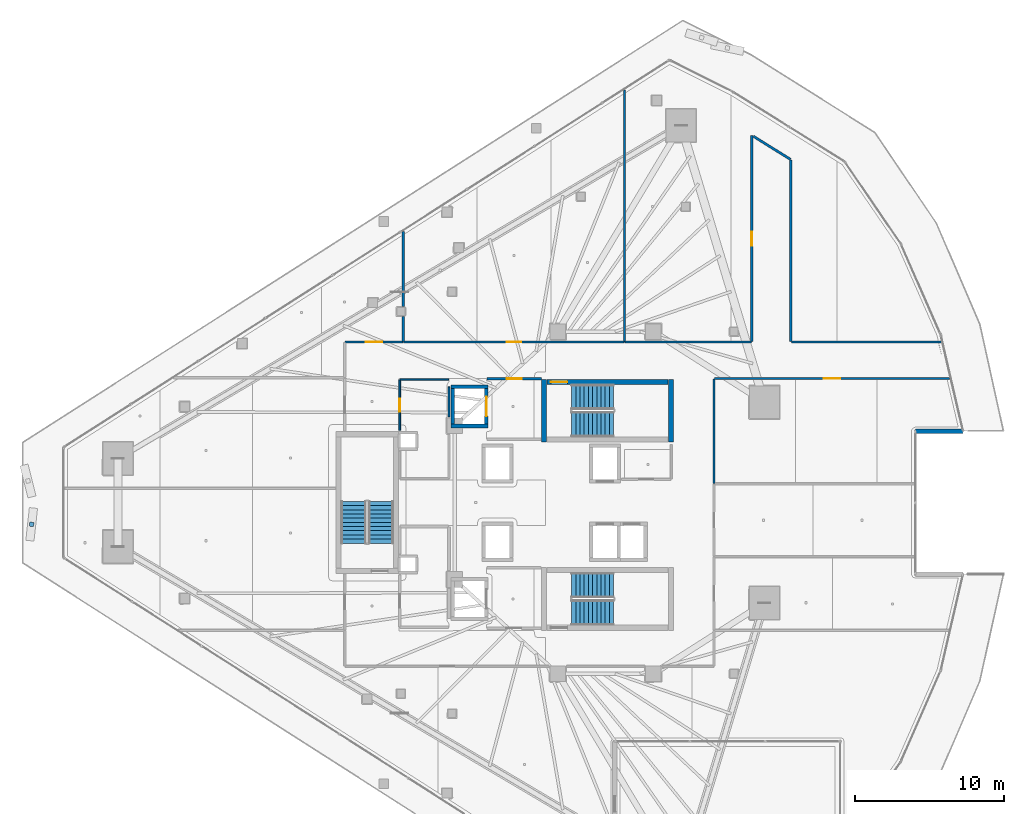
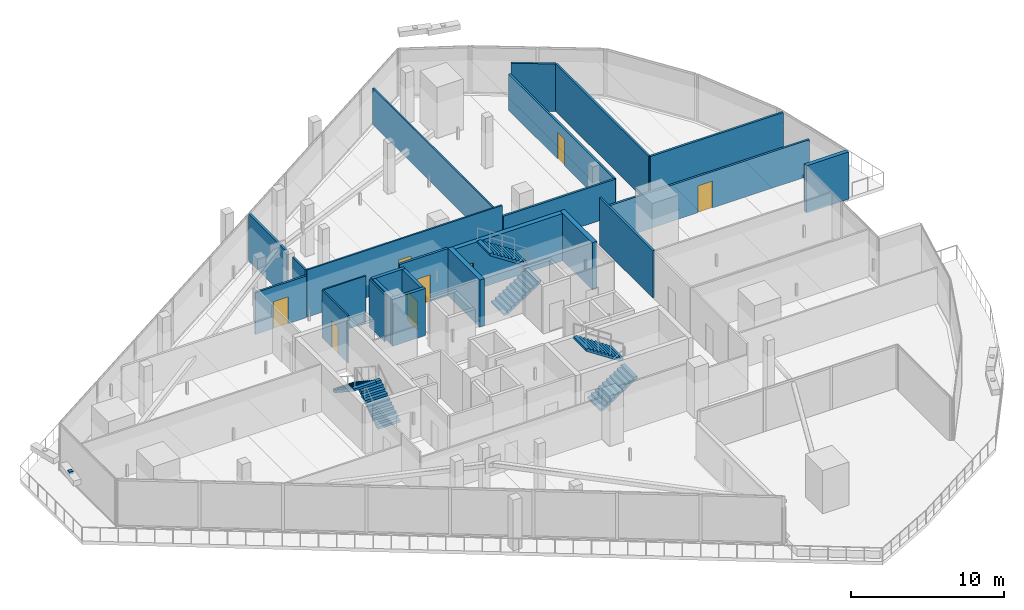
# One storey, part 32 of 43: 24 walls, 8 doors, 6 stair flights, 1 discrete accessory, 8 openings, 3 elements without a shape of their own.
"""IFC4 building model written with IfcOpenShell, lengths in metres."""

from ifc_helpers import new_model, si_unit, direction, frame, frame_2d, origin, origin_2d, place, context, subcontext, project, spatial, polyline, rectangle, outline, extrude, material, layer, layer_set, type_object, element, fill, aggregate, save


model = new_model("IFC4")

# Units and contexts
model_context = context("Model", 3, precision=1e-05, world=origin(), true_north=direction((0.0, 1.0)))
body_context = subcontext(model_context, "Body", "Model", "MODEL_VIEW")
ifc_project = project(units=[si_unit("LENGTHUNIT", "METRE"), si_unit("AREAUNIT", "SQUARE_METRE"), si_unit("VOLUMEUNIT", "CUBIC_METRE"), si_unit("PLANEANGLEUNIT", "RADIAN"), si_unit("MASSUNIT", "GRAM", prefix="KILO")], contexts=[model_context])

# Site, building, storey
site_placement = place(None, origin())
site = spatial("IfcSite", under=ifc_project, at=site_placement, CompositionType="ELEMENT")
building_placement = place(site_placement, origin())
building = spatial("IfcBuilding", under=site, at=building_placement, Name="Qorvath Tower", CompositionType="ELEMENT")
storey_placement = place(building_placement, frame((0.0, 0.0, 150.300048828125)))
storey = spatial("IfcBuildingStorey", under=building, at=storey_placement, Name="L34", CompositionType="ELEMENT", Elevation=150.300048828125)

# Wall, opening, door
ifc_material_1 = material(Name="Gypsum shaftliner on steel studs", Category="steel")
ifc_layer_1 = layer(ifc_material_1, 0.179931640625)
ifc_layer_set_1 = layer_set([ifc_layer_1], Name="FW-LOBBY")
wall_type_1 = type_object("IfcWallType", Name="FW-LOBBY", PredefinedType="PARTITIONING", material=ifc_layer_set_1)
wall_1_placement = place(storey_placement, frame((-24.68408203125, 8.300048828125, 0.0), z_axis=(0.0, 0.0, 1.0), x_axis=(-1.0, 0.0, 0.0)))
wall_1 = element("IfcWall", 1, at=wall_1_placement, inside=storey, type_object=wall_type_1, Name="Interior Partition IW-T1-L34-002", PredefinedType="PARTITIONING", context=body_context, shape_type="SweptSolid", body=[
    extrude(rectangle(XDim=3.6708984375, YDim=0.179931640625, at=frame_2d((1.83544921875, 0.0))), origin(), (0.0, 0.0, 1.0), 3.780029296875),
])
opening_1_placement = place(wall_1_placement, frame((1.33544921875, 0.0, 0.0)))
opening_1 = element("IfcOpeningElement", 2, at=opening_1_placement, cuts=wall_1, Name="Opening D-T1-L34-13", PredefinedType="OPENING", context=body_context, shape_type="SweptSolid", body=[
    extrude(rectangle(XDim=1.0, YDim=2.14990234375, at=frame_2d((0.5, 1.074951171875))), frame((0.0, 0.10009765625, 0.0), z_axis=(0.0, -1.0, 0.0), x_axis=(1.0, 0.0, 0.0)), (0.0, 0.0, 1.0), 0.199951171875),
])
ifc_material_2 = material(Name="Painted galvanised hollow metal", Category="steel")
door_type_1 = type_object("IfcDoorType", Name="FD-60", OperationType="NOTDEFINED", PredefinedType="DOOR", material=ifc_material_2)
door_1_placement = place(opening_1_placement, origin())
door_1 = element("IfcDoor", 3, at=door_1_placement, inside=storey, type_object=door_type_1, Name="Lobby Fire Service Elevator North Door D-T1-L34-13", OperationType="SINGLE_SWING_RIGHT", OverallHeight=2.14990234375, OverallWidth=1.0, PredefinedType="DOOR", context=body_context, shape_type="SweptSolid", body=[
    extrude(rectangle(XDim=1.0, YDim=2.14990234375, at=frame_2d((0.5, 1.074951171875))), frame((0.0, 0.02490234375, 0.0), z_axis=(0.0, -1.0, 0.0), x_axis=(1.0, 0.0, 0.0)), (0.0, 0.0, 1.0), 0.050048828125),
])
fill(opening_1, door_1)

ifc_material_3 = material(Name="Double acoustic gypsum board on steel studs", Category="steel")
ifc_layer_2 = layer(ifc_material_3, 0.159912109375)
ifc_layer_set_2 = layer_set([ifc_layer_2], Name="IW-ACOUSTIC-160")
wall_type_2 = type_object("IfcWallType", Name="IW-ACOUSTIC-160", PredefinedType="PARTITIONING", material=ifc_layer_set_2)
wall_2_placement = place(storey_placement, frame((-37.8330078125, 10.758056640625, 0.0), z_axis=(0.0, 0.0, 1.0), x_axis=(1.0, 0.0, 0.0)))
wall_2 = element("IfcWall", 4, at=wall_2_placement, inside=storey, type_object=wall_type_2, Name="Interior Partition IW-T1-L34-021", PredefinedType="PARTITIONING", context=body_context, shape_type="SweptSolid", body=[
    extrude(rectangle(XDim=3.8583984375, YDim=0.159912109375, at=frame_2d((1.92919921875, 0.0))), origin(), (0.0, 0.0, 1.0), 3.34423828125),
])
opening_2_placement = place(wall_2_placement, frame((1.379150390625, 0.0, 0.0)))
opening_2 = element("IfcOpeningElement", 5, at=opening_2_placement, cuts=wall_2, Name="Opening D-T1-L34-04", PredefinedType="OPENING", context=body_context, shape_type="SweptSolid", body=[
    extrude(rectangle(XDim=1.10009765625, YDim=2.14990234375, at=frame_2d((0.550048828125, 1.074951171875))), frame((0.0, 0.08984375, 0.0), z_axis=(0.0, -1.0, 0.0), x_axis=(1.0, 0.0, 0.0)), (0.0, 0.0, 1.0), 0.179931640625),
])
ifc_material_4 = material(Name="Anodised aluminium acoustic framed glass", Category="aluminium")
door_type_2 = type_object("IfcDoorType", Name="D-03", OperationType="NOTDEFINED", PredefinedType="DOOR", material=ifc_material_4)
door_2_placement = place(opening_2_placement, origin())
door_2 = element("IfcDoor", 6, at=door_2_placement, inside=storey, type_object=door_type_2, Name="L34-01 Client Services Office Door D-T1-L34-04", OperationType="SINGLE_SWING_LEFT", OverallHeight=2.14990234375, OverallWidth=1.10009765625, PredefinedType="DOOR", context=body_context, shape_type="SweptSolid", body=[
    extrude(rectangle(XDim=1.10009765625, YDim=2.14990234375, at=frame_2d((0.550048828125, 1.074951171875))), frame((0.0, 0.02490234375, 0.0), z_axis=(0.0, -1.0, 0.0), x_axis=(1.0, 0.0, 0.0)), (0.0, 0.0, 1.0), 0.050048828125),
])
fill(opening_2, door_2)

# Walls
wall_3_placement = place(storey_placement, frame((-33.94970703125, 10.783203125, 0.0), z_axis=(0.0, 0.0, 1.0), x_axis=(0.0, 1.0, 0.0)))
element("IfcWall", 7, at=wall_3_placement, inside=storey, type_object=wall_type_2, Name="Interior Partition IW-T1-L34-022", PredefinedType="PARTITIONING", context=body_context, shape_type="SweptSolid", body=[
    extrude(rectangle(XDim=1.669189453125, YDim=0.159912109375, at=frame_2d((0.83447265625, 0.0))), origin(), (0.0, 0.0, 1.0), 3.780029296875),
])
wall_4_placement = place(storey_placement, frame((-33.94970703125, 13.132568359375, 0.0), z_axis=(0.0, 0.0, 1.0), x_axis=(0.0, 1.0, 0.0)))
element("IfcWall", 8, at=wall_4_placement, inside=storey, type_object=wall_type_2, Name="Interior Partition IW-T1-L34-023", PredefinedType="PARTITIONING", context=body_context, shape_type="SweptSolid", body=[
    extrude(rectangle(XDim=5.020751953125, YDim=0.159912109375, at=frame_2d((2.51025390625, 0.0))), origin(), (0.0, 0.0, 1.0), 3.780029296875),
])
wall_5_placement = place(storey_placement, frame((-19.099609375, 10.758056640625, 0.0), z_axis=(0.0, 0.0, 1.0), x_axis=(1.0, 0.0, 0.0)))
element("IfcWall", 9, at=wall_5_placement, inside=storey, type_object=wall_type_2, Name="Interior Partition IW-T1-L34-026", PredefinedType="PARTITIONING", context=body_context, shape_type="SweptSolid", body=[
    extrude(rectangle(XDim=8.466796875, YDim=0.159912109375, at=frame_2d((4.2333984375, 0.0))), origin(), (0.0, 0.0, 1.0), 2.89501953125),
])

# Wall, opening, door
wall_6_placement = place(storey_placement, frame((-10.60791015625, 10.783203125, 0.0), z_axis=(0.0, 0.0, 1.0), x_axis=(0.0, 1.0, 0.0)))
wall_6 = element("IfcWall", 10, at=wall_6_placement, inside=storey, type_object=wall_type_2, Name="Interior Partition IW-T1-L34-027", PredefinedType="PARTITIONING", context=body_context, shape_type="SweptSolid", body=[
    extrude(rectangle(XDim=13.78759765625, YDim=0.159912109375, at=frame_2d((6.893798828125, 0.0))), origin(), (0.0, 0.0, 1.0), 2.89990234375),
])
opening_3_placement = place(wall_6_placement, frame((6.418701171875, 0.0, 0.0)))
opening_3 = element("IfcOpeningElement", 11, at=opening_3_placement, cuts=wall_6, Name="Opening D-T1-L34-06", PredefinedType="OPENING", context=body_context, shape_type="SweptSolid", body=[
    extrude(rectangle(XDim=0.949951171875, YDim=2.14990234375, at=frame_2d((0.47509765625, 1.074951171875))), frame((0.0, 0.08984375, 0.0), z_axis=(0.0, -1.0, 0.0), x_axis=(1.0, 0.0, 0.0)), (0.0, 0.0, 1.0), 0.179931640625),
])
ifc_material_5 = material(Name="Solid-core American white oak veneer", Category="wood")
door_type_3 = type_object("IfcDoorType", Name="D-01", OperationType="NOTDEFINED", PredefinedType="DOOR", material=ifc_material_5)
door_3_placement = place(opening_3_placement, origin())
door_3 = element("IfcDoor", 12, at=door_3_placement, inside=storey, type_object=door_type_3, Name="L34-03 Staff Wellness Studio Door D-T1-L34-06", OperationType="SINGLE_SWING_LEFT", OverallHeight=2.14990234375, OverallWidth=0.949951171875, PredefinedType="DOOR", context=body_context, shape_type="SweptSolid", body=[
    extrude(rectangle(XDim=0.949951171875, YDim=2.14990234375, at=frame_2d((0.47509765625, 1.074951171875))), frame((0.0, 0.02490234375, 0.0), z_axis=(0.0, -1.0, 0.0), x_axis=(1.0, 0.0, 0.0)), (0.0, 0.0, 1.0), 0.050048828125),
])
fill(opening_3, door_3)

# Walls
wall_7_placement = place(storey_placement, frame((-8.01318359375, 22.9765625, 0.0), z_axis=(0.0, 0.0, 1.0), x_axis=(-0.848358146003, 0.529422757454, 0.0)))
element("IfcWall", 13, at=wall_7_placement, inside=storey, type_object=wall_type_2, Name="Interior Partition IW-T1-L34-028", PredefinedType="PARTITIONING", context=body_context, shape_type="SweptSolid", body=[
    extrude(rectangle(XDim=2.933349609375, YDim=0.159912109375, at=frame_2d((1.466796875, 0.0))), origin(), (0.0, 0.0, 1.0), 3.780029296875),
])
wall_8_placement = place(storey_placement, frame((-7.991943359375, 10.783203125, 0.0), z_axis=(0.0, 0.0, 1.0), x_axis=(0.0, 1.0, 0.0)))
element("IfcWall", 14, at=wall_8_placement, inside=storey, type_object=wall_type_2, Name="Interior Partition IW-T1-L34-029", PredefinedType="PARTITIONING", context=body_context, shape_type="SweptSolid", body=[
    extrude(rectangle(XDim=12.1552734375, YDim=0.159912109375, at=frame_2d((6.07763671875, 0.0))), origin(), (0.0, 0.0, 1.0), 3.780029296875),
])
wall_9_placement = place(storey_placement, frame((-7.966796875, 10.758056640625, 0.0), z_axis=(0.0, 0.0, 1.0), x_axis=(1.0, 0.0, 0.0)))
element("IfcWall", 15, at=wall_9_placement, inside=storey, type_object=wall_type_2, Name="Interior Partition IW-T1-L34-030", PredefinedType="PARTITIONING", context=body_context, shape_type="SweptSolid", body=[
    extrude(rectangle(XDim=10.042236328125, YDim=0.159912109375, at=frame_2d((5.02099609375, 0.0))), origin(), (0.0, 0.0, 1.0), 3.780029296875),
])

# Wall, opening, door
wall_10_placement = place(storey_placement, frame((2.64208984375, 8.31201171875, 0.0), z_axis=(0.0, 0.0, 1.0), x_axis=(-1.0, 0.0, 0.0)))
wall_10 = element("IfcWall", 16, at=wall_10_placement, inside=storey, type_object=wall_type_2, Name="Interior Partition IW-T1-L34-042", PredefinedType="PARTITIONING", context=body_context, shape_type="SweptSolid", body=[
    extrude(rectangle(XDim=15.75927734375, YDim=0.159912109375, at=frame_2d((7.879638671875, 0.0))), origin(), (0.0, 0.0, 1.0), 2.89501953125),
])
opening_4_placement = place(wall_10_placement, frame((7.32958984375, 0.0, 0.0)))
opening_4 = element("IfcOpeningElement", 17, at=opening_4_placement, cuts=wall_10, Name="Opening D-T1-L34-10", PredefinedType="OPENING", context=body_context, shape_type="SweptSolid", body=[
    extrude(rectangle(XDim=1.10009765625, YDim=2.14990234375, at=frame_2d((0.550048828125, 1.074951171875))), frame((0.0, 0.08984375, 0.0), z_axis=(0.0, -1.0, 0.0), x_axis=(1.0, 0.0, 0.0)), (0.0, 0.0, 1.0), 0.179931640625),
])
door_4_placement = place(opening_4_placement, origin())
door_4 = element("IfcDoor", 18, at=door_4_placement, inside=storey, type_object=door_type_2, Name="L34-07 Digital Visualization Suite Door D-T1-L34-10", OperationType="SINGLE_SWING_LEFT", OverallHeight=2.14990234375, OverallWidth=1.10009765625, PredefinedType="DOOR", context=body_context, shape_type="SweptSolid", body=[
    extrude(rectangle(XDim=1.10009765625, YDim=2.14990234375, at=frame_2d((0.550048828125, 1.074951171875))), frame((0.0, 0.02490234375, 0.0), z_axis=(0.0, -1.0, 0.0), x_axis=(1.0, 0.0, 0.0)), (0.0, 0.0, 1.0), 0.050048828125),
])
fill(opening_4, door_4)

# Wall
wall_11_placement = place(storey_placement, frame((-13.14208984375, 8.287109375, 0.0), z_axis=(0.0, 0.0, 1.0), x_axis=(0.0, -1.0, 0.0)))
element("IfcWall", 19, at=wall_11_placement, inside=storey, type_object=wall_type_2, Name="Interior Partition IW-T1-L34-043", PredefinedType="PARTITIONING", context=body_context, shape_type="SweptSolid", body=[
    extrude(rectangle(XDim=7.001708984375, YDim=0.159912109375, at=frame_2d((3.5009765625, 0.0))), origin(), (0.0, 0.0, 1.0), 3.780029296875),
])

# Wall, opening, door
ifc_material_6 = material(Name="Gypsum board on metal studs with mineral wool", Category="gypsum")
ifc_layer_3 = layer(ifc_material_6, 0.125)
ifc_layer_set_3 = layer_set([ifc_layer_3], Name="IW-PART-125")
wall_type_3 = type_object("IfcWallType", Name="IW-PART-125", PredefinedType="PARTITIONING", material=ifc_layer_set_3)
wall_12_placement = place(storey_placement, frame((-33.916748046875, 10.758056640625, 0.0), z_axis=(0.0, 0.0, 1.0), x_axis=(1.0, 0.0, 0.0)))
wall_12 = element("IfcWall", 20, at=wall_12_placement, inside=storey, type_object=wall_type_3, Name="Interior Partition IW-T1-L34-024", PredefinedType="PARTITIONING", context=body_context, shape_type="SweptSolid", body=[
    extrude(rectangle(XDim=14.759033203125, YDim=0.125, at=frame_2d((7.37939453125, 0.0))), origin(), (0.0, 0.0, 1.0), 3.780029296875),
])
opening_5_placement = place(wall_12_placement, frame((6.904541015625, 0.0, 0.0)))
opening_5 = element("IfcOpeningElement", 21, at=opening_5_placement, cuts=wall_12, Name="Opening D-T1-L34-05", PredefinedType="OPENING", context=body_context, shape_type="SweptSolid", body=[
    extrude(rectangle(XDim=0.949951171875, YDim=2.14990234375, at=frame_2d((0.47509765625, 1.074951171875))), frame((0.0, 0.072509765625, 0.0), z_axis=(0.0, -1.0, 0.0), x_axis=(1.0, 0.0, 0.0)), (0.0, 0.0, 1.0), 0.14501953125),
])
door_5_placement = place(opening_5_placement, origin())
door_5 = element("IfcDoor", 22, at=door_5_placement, inside=storey, type_object=door_type_3, Name="L34-02 Project Collaboration Workspace Door D-T1-L34-05", OperationType="SINGLE_SWING_RIGHT", OverallHeight=2.14990234375, OverallWidth=0.949951171875, PredefinedType="DOOR", context=body_context, shape_type="SweptSolid", body=[
    extrude(rectangle(XDim=0.949951171875, YDim=2.14990234375, at=frame_2d((0.47509765625, 1.074951171875))), frame((0.0, 0.02490234375, 0.0), z_axis=(0.0, -1.0, 0.0), x_axis=(1.0, 0.0, 0.0)), (0.0, 0.0, 1.0), 0.050048828125),
])
fill(opening_5, door_5)

# Walls
wall_13_placement = place(storey_placement, frame((-19.132568359375, 10.783203125, 0.0), z_axis=(0.0, 0.0, 1.0), x_axis=(0.0, 1.0, 0.0)))
element("IfcWall", 23, at=wall_13_placement, inside=storey, type_object=wall_type_3, Name="Interior Partition IW-T1-L34-025", PredefinedType="PARTITIONING", context=body_context, shape_type="SweptSolid", body=[
    extrude(rectangle(XDim=16.840087890625, YDim=0.125, at=frame_2d((8.419921875, 0.0))), origin(), (0.0, 0.0, 1.0), 2.89501953125),
])
ifc_material_7 = material(Name="Moisture-resistant cement board on metal studs", Category="gypsum")
ifc_layer_4 = layer(ifc_material_7, 0.110107421875)
ifc_layer_set_4 = layer_set([ifc_layer_4], Name="IW-WC-110")
wall_type_4 = type_object("IfcWallType", Name="IW-WC-110", PredefinedType="PARTITIONING", material=ifc_layer_set_4)
wall_14_placement = place(storey_placement, frame((-30.8798828125, 5.739990234375, 0.0), z_axis=(0.0, 0.0, 1.0), x_axis=(0.0, 1.0, 0.0)))
element("IfcWall", 24, at=wall_14_placement, inside=storey, type_object=wall_type_4, Name="Interior Partition IW-T1-L34-007", PredefinedType="PARTITIONING", context=body_context, shape_type="SweptSolid", body=[
    extrude(rectangle(XDim=2.0029296875, YDim=0.110107421875, at=frame_2d((1.00146484375, 0.0))), origin(), (0.0, 0.0, 1.0), 3.780029296875),
])
wall_15_placement = place(storey_placement, frame((-30.90478515625, 8.25, 0.0), z_axis=(0.0, 0.0, 1.0), x_axis=(-1.0, 0.0, 0.0)))
element("IfcWall", 25, at=wall_15_placement, inside=storey, type_object=wall_type_4, Name="Interior Partition IW-T1-L34-008", PredefinedType="PARTITIONING", context=body_context, shape_type="SweptSolid", body=[
    extrude(rectangle(XDim=3.25, YDim=0.110107421875, at=frame_2d((1.625, 0.0))), origin(), (0.0, 0.0, 1.0), 3.780029296875),
])

# Wall, opening, door
wall_16_placement = place(storey_placement, frame((-34.179931640625, 8.22509765625, 0.0), z_axis=(0.0, 0.0, 1.0), x_axis=(0.0, -1.0, 0.0)))
wall_16 = element("IfcWall", 26, at=wall_16_placement, inside=storey, type_object=wall_type_4, Name="Interior Partition IW-T1-L34-009", PredefinedType="PARTITIONING", context=body_context, shape_type="SweptSolid", body=[
    extrude(rectangle(XDim=3.385009765625, YDim=0.110107421875, at=frame_2d((1.6923828125, 0.0))), origin(), (0.0, 0.0, 1.0), 3.780029296875),
])
opening_6_placement = place(wall_16_placement, frame((1.25244140625, 0.0, 0.0)))
opening_6 = element("IfcOpeningElement", 27, at=opening_6_placement, cuts=wall_16, Name="Opening D-T1-L34-01", PredefinedType="OPENING", context=body_context, shape_type="SweptSolid", body=[
    extrude(rectangle(XDim=0.8798828125, YDim=2.10009765625, at=frame_2d((0.43994140625, 1.050048828125))), frame((0.0, 0.06494140625, 0.0), z_axis=(0.0, -1.0, 0.0), x_axis=(1.0, 0.0, 0.0)), (0.0, 0.0, 1.0), 0.130126953125),
])
ifc_material_8 = material(Name="Solid-core oak with acoustic drop seal", Category="wood")
door_type_4 = type_object("IfcDoorType", Name="D-02", OperationType="NOTDEFINED", PredefinedType="DOOR", material=ifc_material_8)
door_6_placement = place(opening_6_placement, origin())
door_6 = element("IfcDoor", 28, at=door_6_placement, inside=storey, type_object=door_type_4, Name="Accessible WC North L34 Door D-T1-L34-01", OperationType="SINGLE_SWING_RIGHT", OverallHeight=2.10009765625, OverallWidth=0.8798828125, PredefinedType="DOOR", context=body_context, shape_type="SweptSolid", body=[
    extrude(rectangle(XDim=0.8798828125, YDim=2.10009765625, at=frame_2d((0.43994140625, 1.050048828125))), frame((0.0, 0.02490234375, 0.0), z_axis=(0.0, -1.0, 0.0), x_axis=(1.0, 0.0, 0.0)), (0.0, 0.0, 1.0), 0.050048828125),
])
fill(opening_6, door_6)

# Walls
ifc_material_9 = material(Name="Concrete C60/75", Category="concrete")
ifc_layer_5 = layer(ifc_material_9, 0.260009765625)
ifc_layer_set_5 = layer_set([ifc_layer_5], Name="SW-SHAFT")
wall_type_5 = type_object("IfcWallType", Name="SW-SHAFT", PredefinedType="SHEAR", material=ifc_layer_set_5)
for number, where, z_axis, x_axis, name in (
    (29, (-28.260009765625, 5.1298828125, 0.0), (0.0, 0.0, 1.0), (-1.0, 0.0, 0.0), "Hoistway Wall FSAE-1 L34 S"),
    (30, (-30.739990234375, 7.77001953125, 0.0), (0.0, 0.0, 1.0), (1.0, 0.0, 0.0), "Hoistway Wall FSAE-1 L34 N"),
):
    element("IfcWall", number, at=place(storey_placement, frame(where, z_axis=z_axis, x_axis=x_axis)), inside=storey, type_object=wall_type_5, Name=name, PredefinedType="SHEAR", context=body_context, shape_type="SweptSolid", body=[
        extrude(rectangle(XDim=2.47998046875, YDim=0.239990234375, at=frame_2d((1.239990234375, 0.0))), origin(), (0.0, 0.0, 1.0), 3.780029296875),
    ])
wall_17_placement = place(storey_placement, frame((-30.6201171875, 5.261962890625, 0.0), z_axis=(0.0, 0.0, 1.0), x_axis=(0.0, 1.0, 0.0)))
element("IfcWall", 31, at=wall_17_placement, inside=storey, type_object=wall_type_5, Name="Hoistway Wall FSAE-1 L34 W", PredefinedType="SHEAR", context=body_context, shape_type="SweptSolid", body=[
    extrude(rectangle(XDim=2.3759765625, YDim=0.239990234375, at=frame_2d((1.18798828125, 0.0))), origin(), (0.0, 0.0, 1.0), 3.780029296875),
])

# Wall, opening, door
wall_18_placement = place(storey_placement, frame((-28.3798828125, 7.637939453125, 0.0), z_axis=(0.0, 0.0, 1.0), x_axis=(0.0, -1.0, 0.0)))
wall_18 = element("IfcWall", 32, at=wall_18_placement, inside=storey, type_object=wall_type_5, Name="Hoistway Wall FSAE-1 L34 E", PredefinedType="SHEAR", context=body_context, shape_type="SweptSolid", body=[
    extrude(rectangle(XDim=2.3759765625, YDim=0.239990234375, at=frame_2d((1.18798828125, 0.0))), origin(), (0.0, 0.0, 1.0), 3.780029296875),
])
opening_7_placement = place(wall_18_placement, frame((0.537841796875, 0.0, 0.0)))
opening_7 = element("IfcOpeningElement", 33, at=opening_7_placement, cuts=wall_18, Name="Opening LD-FSAE-1-L34", PredefinedType="OPENING", context=body_context, shape_type="SweptSolid", body=[
    extrude(rectangle(XDim=1.300048828125, YDim=2.300048828125, at=frame_2d((0.64990234375, 1.14990234375))), frame((0.0, 0.1298828125, 0.0), z_axis=(0.0, -1.0, 0.0), x_axis=(1.0, 0.0, 0.0)), (0.0, 0.0, 1.0), 0.260009765625),
])
ifc_material_10 = material(Name="Brushed stainless steel AISI 316", Category="steel")
door_type_5 = type_object("IfcDoorType", Name="LD-02", OperationType="NOTDEFINED", PredefinedType="DOOR", material=ifc_material_10)
door_7_placement = place(opening_7_placement, origin())
door_7 = element("IfcDoor", 34, at=door_7_placement, inside=storey, type_object=door_type_5, Name="Elevator Landing Sliding Door LD-FSAE-1-L34", OperationType="DOUBLE_DOOR_SLIDING", OverallHeight=2.300048828125, OverallWidth=1.300048828125, PredefinedType="DOOR", context=body_context, shape_type="SweptSolid", body=[
    extrude(rectangle(XDim=1.300048828125, YDim=2.300048828125, at=frame_2d((0.64990234375, 1.14990234375))), frame((0.0, 0.02490234375, 0.0), z_axis=(0.0, -1.0, 0.0), x_axis=(1.0, 0.0, 0.0)), (0.0, 0.0, 1.0), 0.050048828125),
])
fill(opening_7, door_7)

# Walls
ifc_material_11 = material(Name="Concrete C60/75", Category="concrete")
ifc_layer_6 = layer(ifc_material_11, 0.35009765625)
ifc_layer_set_6 = layer_set([ifc_layer_6], Name="SW-STAIR")
wall_type_6 = type_object("IfcWallType", Name="SW-STAIR", PredefinedType="SHEAR", material=ifc_layer_set_6)
for number, where, z_axis, x_axis, name in (
    (35, (-24.52490234375, 8.260009765625, 0.0), (0.0, 0.0, 1.0), (0.0, -1.0, 0.0), "Stair TS1 Shear Wall L34 NEAR"),
    (36, (-16.02490234375, 4.050048828125, 0.0), (0.0, 0.0, 1.0), (0.0, 1.0, 0.0), "Stair TS1 Shear Wall L34 FAR"),
):
    element("IfcWall", number, at=place(storey_placement, frame(where, z_axis=z_axis, x_axis=x_axis)), inside=storey, type_object=wall_type_6, Name=name, PredefinedType="SHEAR", context=body_context, shape_type="SweptSolid", body=[
        extrude(rectangle(XDim=4.2099609375, YDim=0.35009765625, at=frame_2d((2.10498046875, 0.0))), origin(), (0.0, 0.0, 1.0), 3.780029296875),
    ])

# Wall, opening, door
wall_19_placement = place(storey_placement, frame((-16.215087890625, 8.0849609375, 0.0), z_axis=(0.0, 0.0, 1.0), x_axis=(-1.0, 0.0, 0.0)))
wall_19 = element("IfcWall", 37, at=wall_19_placement, inside=storey, type_object=wall_type_6, Name="Stair TS1 Shear Wall L34 RIGHT", PredefinedType="SHEAR", context=body_context, shape_type="SweptSolid", body=[
    extrude(rectangle(XDim=8.119873046875, YDim=0.35009765625, at=frame_2d((4.06005859375, 0.0))), origin(), (0.0, 0.0, 1.0), 3.780029296875),
])
opening_8_placement = place(wall_19_placement, frame((6.739990234375, 0.0, 0.0)))
opening_8 = element("IfcOpeningElement", 38, at=opening_8_placement, cuts=wall_19, Name="Opening D-TS1-L34", PredefinedType="OPENING", context=body_context, shape_type="SweptSolid", body=[
    extrude(rectangle(XDim=1.10009765625, YDim=2.199951171875, at=frame_2d((0.550048828125, 1.10009765625))), frame((0.0, 0.18505859375, 0.0), z_axis=(0.0, -1.0, 0.0), x_axis=(1.0, 0.0, 0.0)), (0.0, 0.0, 1.0), 0.3701171875),
])
ifc_material_12 = material(Name="Painted galvanised hollow metal", Category="steel")
door_type_6 = type_object("IfcDoorType", Name="FD-90", OperationType="NOTDEFINED", PredefinedType="DOOR", material=ifc_material_12)
door_8_placement = place(opening_8_placement, origin())
door_8 = element("IfcDoor", 39, at=door_8_placement, inside=storey, type_object=door_type_6, Name="Stair TS1 Fire Door L34", OperationType="SINGLE_SWING_LEFT", OverallHeight=2.199951171875, OverallWidth=1.10009765625, PredefinedType="DOOR", context=body_context, shape_type="SweptSolid", body=[
    extrude(rectangle(XDim=1.10009765625, YDim=2.199951171875, at=frame_2d((0.550048828125, 1.10009765625))), frame((0.0, 0.02490234375, 0.0), z_axis=(0.0, -1.0, 0.0), x_axis=(1.0, 0.0, 0.0)), (0.0, 0.0, 1.0), 0.050048828125),
])
fill(opening_8, door_8)

# Wall
ifc_material_13 = material(Name="Precast concrete C45/55", Category="concrete")
ifc_layer_7 = layer(ifc_material_13, 0.300048828125)
ifc_layer_set_7 = layer_set([ifc_layer_7], Name="WL-EW-LOG-300")
wall_type_7 = type_object("IfcWallType", Name="WL-EW-LOG-300", PredefinedType="SOLIDWALL", material=ifc_layer_set_7)
wall_20_placement = place(storey_placement, frame((0.33984375, 4.795166015625, 0.0), z_axis=(0.0, 0.0, 1.0), x_axis=(1.0, 0.0, 0.0)))
element("IfcWall", 40, at=wall_20_placement, inside=storey, type_object=wall_type_7, Name="Tower Precast Loggia Wall L34-10.1", PredefinedType="SOLIDWALL", context=body_context, shape_type="SweptSolid", body=[
    extrude(rectangle(XDim=3.19677734375, YDim=0.300048828125, at=frame_2d((1.598388671875, 0.0))), origin(), (0.0, 0.0, 1.0), 3.780029296875),
])

# Stair, stair flights
ifc_material_14 = material(Name="Concrete C50/60", Category="concrete")
stair_type = type_object("IfcStairType", Name="ST-H405", PredefinedType="HALF_TURN_STAIR", material=ifc_material_14)
stair_1_placement = place(storey_placement, origin())
stair_1 = element("IfcStair", 41, at=stair_1_placement, inside=storey, type_object=stair_type, Name="L34 Tower Exit Stair 1", PredefinedType="HALF_TURN_STAIR")
ifc_material_15 = material(Name="Concrete C50/60", Category="concrete")
ifc_layer_8 = layer(ifc_material_15, 0.14990234375)
ifc_layer_set_8 = layer_set([ifc_layer_8], Name="SF-H405")
stair_flight_type = type_object("IfcStairFlightType", Name="SF-H405", PredefinedType="STRAIGHT", material=ifc_layer_set_8)
stair_flight_1_placement = place(storey_placement, frame((-22.669921875, 5.239990234375, 0.0), z_axis=(0.0, 0.0, 1.0), x_axis=(1.0, 0.0, 0.0)))
stair_flight_1 = element("IfcStairFlight", 42, at=stair_flight_1_placement, type_object=stair_flight_type, Name="TS1 flight 1", NumberOfRisers=11, NumberOfTreads=10, PredefinedType="STRAIGHT", RiserHeight=0.184090909, TreadLength=0.28, context=body_context, shape_type="SweptSolid", body=[
    extrude(outline(polyline([(0.0, 0.0), (0.0, 0.18408203125), (0.280029296875, 0.18408203125), (0.280029296875, 0.3681640625), (0.56005859375, 0.3681640625), (0.56005859375, 0.55224609375), (0.840087890625, 0.55224609375), (0.840087890625, 0.736328125), (1.1201171875, 0.736328125), (1.1201171875, 0.92041015625), (1.39990234375, 0.92041015625), (1.39990234375, 1.1044921875), (1.679931640625, 1.1044921875), (1.679931640625, 1.28857421875), (1.9599609375, 1.28857421875), (1.9599609375, 1.47265625), (2.239990234375, 1.47265625), (2.239990234375, 1.65673828125), (2.52001953125, 1.65673828125), (2.52001953125, 1.8408203125), (2.800048828125, 1.8408203125), (2.800048828125, 2.02490234375), (2.800048828125, 1.66162109375), (0.27294921875, 0.0), (0.0, 0.0)])), frame((0.0, 0.83984375, 0.0), z_axis=(0.0, -1.0, 0.0), x_axis=(1.0, 0.0, 0.0)), (0.0, 0.0, 1.0), 1.679931640625),
])
stair_flight_2_placement = place(storey_placement, frame((-19.8701171875, 7.070068359375, 2.02490234375), z_axis=(0.0, 0.0, 1.0), x_axis=(-1.0, 0.0, 0.0)))
stair_flight_2 = element("IfcStairFlight", 43, at=stair_flight_2_placement, type_object=stair_flight_type, Name="TS1 flight 2", NumberOfRisers=11, NumberOfTreads=10, PredefinedType="STRAIGHT", RiserHeight=0.184090909, TreadLength=0.28, context=body_context, shape_type="SweptSolid", body=[
    extrude(outline(polyline([(0.0, 0.0), (0.0, 0.18408203125), (0.280029296875, 0.18408203125), (0.280029296875, 0.3681640625), (0.56005859375, 0.3681640625), (0.56005859375, 0.55224609375), (0.840087890625, 0.55224609375), (0.840087890625, 0.736328125), (1.1201171875, 0.736328125), (1.1201171875, 0.92041015625), (1.39990234375, 0.92041015625), (1.39990234375, 1.1044921875), (1.679931640625, 1.1044921875), (1.679931640625, 1.28857421875), (1.9599609375, 1.28857421875), (1.9599609375, 1.47265625), (2.239990234375, 1.47265625), (2.239990234375, 1.65673828125), (2.52001953125, 1.65673828125), (2.52001953125, 1.8408203125), (2.800048828125, 1.8408203125), (2.800048828125, 2.02490234375), (2.800048828125, 1.66162109375), (0.27294921875, 0.0), (0.0, 0.0)])), frame((0.0, 0.83984375, 0.0), z_axis=(0.0, -1.0, 0.0), x_axis=(1.0, 0.0, 0.0)), (0.0, 0.0, 1.0), 1.679931640625),
])
aggregate(stair_1, [stair_flight_1, stair_flight_2])

stair_2_placement = place(storey_placement, origin())
stair_2 = element("IfcStair", 44, at=stair_2_placement, inside=storey, type_object=stair_type, Name="L34 Tower Exit Stair 2", PredefinedType="HALF_TURN_STAIR")
stair_flight_3_placement = place(storey_placement, frame((-22.669921875, -7.360107421875, 0.0), z_axis=(0.0, 0.0, 1.0), x_axis=(1.0, 0.0, 0.0)))
stair_flight_3 = element("IfcStairFlight", 45, at=stair_flight_3_placement, type_object=stair_flight_type, Name="TS2 flight 1", NumberOfRisers=11, NumberOfTreads=10, PredefinedType="STRAIGHT", RiserHeight=0.184090909, TreadLength=0.28, context=body_context, shape_type="SweptSolid", body=[
    extrude(outline(polyline([(0.0, 0.0), (0.0, 0.18408203125), (0.280029296875, 0.18408203125), (0.280029296875, 0.3681640625), (0.56005859375, 0.3681640625), (0.56005859375, 0.55224609375), (0.840087890625, 0.55224609375), (0.840087890625, 0.736328125), (1.1201171875, 0.736328125), (1.1201171875, 0.92041015625), (1.39990234375, 0.92041015625), (1.39990234375, 1.1044921875), (1.679931640625, 1.1044921875), (1.679931640625, 1.28857421875), (1.9599609375, 1.28857421875), (1.9599609375, 1.47265625), (2.239990234375, 1.47265625), (2.239990234375, 1.65673828125), (2.52001953125, 1.65673828125), (2.52001953125, 1.8408203125), (2.800048828125, 1.8408203125), (2.800048828125, 2.02490234375), (2.800048828125, 1.66162109375), (0.27294921875, 0.0), (0.0, 0.0)])), frame((0.0, 0.83984375, 0.0), z_axis=(0.0, -1.0, 0.0), x_axis=(1.0, 0.0, 0.0)), (0.0, 0.0, 1.0), 1.679931640625),
])
stair_flight_4_placement = place(storey_placement, frame((-19.8701171875, -5.530029296875, 2.02490234375), z_axis=(0.0, 0.0, 1.0), x_axis=(-1.0, 0.0, 0.0)))
stair_flight_4 = element("IfcStairFlight", 46, at=stair_flight_4_placement, type_object=stair_flight_type, Name="TS2 flight 2", NumberOfRisers=11, NumberOfTreads=10, PredefinedType="STRAIGHT", RiserHeight=0.184090909, TreadLength=0.28, context=body_context, shape_type="SweptSolid", body=[
    extrude(outline(polyline([(0.0, 0.0), (0.0, 0.18408203125), (0.280029296875, 0.18408203125), (0.280029296875, 0.3681640625), (0.56005859375, 0.3681640625), (0.56005859375, 0.55224609375), (0.840087890625, 0.55224609375), (0.840087890625, 0.736328125), (1.1201171875, 0.736328125), (1.1201171875, 0.92041015625), (1.39990234375, 0.92041015625), (1.39990234375, 1.1044921875), (1.679931640625, 1.1044921875), (1.679931640625, 1.28857421875), (1.9599609375, 1.28857421875), (1.9599609375, 1.47265625), (2.239990234375, 1.47265625), (2.239990234375, 1.65673828125), (2.52001953125, 1.65673828125), (2.52001953125, 1.8408203125), (2.800048828125, 1.8408203125), (2.800048828125, 2.02490234375), (2.800048828125, 1.66162109375), (0.27294921875, 0.0), (0.0, 0.0)])), frame((0.0, 0.83984375, 0.0), z_axis=(0.0, -1.0, 0.0), x_axis=(1.0, 0.0, 0.0)), (0.0, 0.0, 1.0), 1.679931640625),
])
aggregate(stair_2, [stair_flight_3, stair_flight_4])

stair_3_placement = place(storey_placement, origin())
stair_3 = element("IfcStair", 47, at=stair_3_placement, inside=storey, type_object=stair_type, Name="L34 Tower Exit Stair 3", PredefinedType="HALF_TURN_STAIR")
stair_flight_5_placement = place(storey_placement, frame((-35.43994140625, -2.719970703125, 0.0), z_axis=(0.0, 0.0, 1.0), x_axis=(0.0, 1.0, 0.0)))
stair_flight_5 = element("IfcStairFlight", 48, at=stair_flight_5_placement, type_object=stair_flight_type, Name="TS3 flight 1", NumberOfRisers=11, NumberOfTreads=10, PredefinedType="STRAIGHT", RiserHeight=0.184090909, TreadLength=0.28, context=body_context, shape_type="SweptSolid", body=[
    extrude(outline(polyline([(0.0, 0.0), (0.0, 0.18408203125), (0.280029296875, 0.18408203125), (0.280029296875, 0.3681640625), (0.56005859375, 0.3681640625), (0.56005859375, 0.55224609375), (0.840087890625, 0.55224609375), (0.840087890625, 0.736328125), (1.1201171875, 0.736328125), (1.1201171875, 0.92041015625), (1.39990234375, 0.92041015625), (1.39990234375, 1.1044921875), (1.679931640625, 1.1044921875), (1.679931640625, 1.28857421875), (1.9599609375, 1.28857421875), (1.9599609375, 1.47265625), (2.239990234375, 1.47265625), (2.239990234375, 1.65673828125), (2.52001953125, 1.65673828125), (2.52001953125, 1.8408203125), (2.800048828125, 1.8408203125), (2.800048828125, 2.02490234375), (2.800048828125, 1.66162109375), (0.27294921875, 0.0), (0.0, 0.0)])), frame((0.0, 0.83984375, 0.0), z_axis=(0.0, -1.0, 0.0), x_axis=(1.0, 0.0, 0.0)), (0.0, 0.0, 1.0), 1.679931640625),
])
stair_flight_6_placement = place(storey_placement, frame((-37.27001953125, 0.080078125, 2.02490234375), z_axis=(0.0, 0.0, 1.0), x_axis=(0.0, -1.0, 0.0)))
stair_flight_6 = element("IfcStairFlight", 49, at=stair_flight_6_placement, type_object=stair_flight_type, Name="TS3 flight 2", NumberOfRisers=11, NumberOfTreads=10, PredefinedType="STRAIGHT", RiserHeight=0.184090909, TreadLength=0.28, context=body_context, shape_type="SweptSolid", body=[
    extrude(outline(polyline([(0.0, 0.0), (0.0, 0.18408203125), (0.280029296875, 0.18408203125), (0.280029296875, 0.3681640625), (0.56005859375, 0.3681640625), (0.56005859375, 0.55224609375), (0.840087890625, 0.55224609375), (0.840087890625, 0.736328125), (1.1201171875, 0.736328125), (1.1201171875, 0.92041015625), (1.39990234375, 0.92041015625), (1.39990234375, 1.1044921875), (1.679931640625, 1.1044921875), (1.679931640625, 1.28857421875), (1.9599609375, 1.28857421875), (1.9599609375, 1.47265625), (2.239990234375, 1.47265625), (2.239990234375, 1.65673828125), (2.52001953125, 1.65673828125), (2.52001953125, 1.8408203125), (2.800048828125, 1.8408203125), (2.800048828125, 2.02490234375), (2.800048828125, 1.66162109375), (0.27294921875, 0.0), (0.0, 0.0)])), frame((0.0, 0.83984375, 0.0), z_axis=(0.0, -1.0, 0.0), x_axis=(1.0, 0.0, 0.0)), (0.0, 0.0, 1.0), 1.679931640625),
])
aggregate(stair_3, [stair_flight_5, stair_flight_6])

# Discrete accessory
ifc_material_16 = material(Name="Galvanised steel bracket", Category="steel")
discrete_accessory_type = type_object("IfcDiscreteAccessoryType", Name="DA-BRACKET", PredefinedType="BRACKET", material=ifc_material_16)
discrete_accessory_placement = place(storey_placement, frame((-58.826171875, -1.453125, 3.64013671875), z_axis=(0.0, 0.0, 1.0), x_axis=(-0.108193687166, -0.994129833602, 0.0)))
element("IfcDiscreteAccessory", 50, at=discrete_accessory_placement, inside=storey, type_object=discrete_accessory_type, Name="Louvre Wave Support Bracket L34-02", PredefinedType="NOTDEFINED", context=body_context, shape_type="SweptSolid", body=[
    extrude(rectangle(XDim=0.280029296875, YDim=0.280029296875, at=origin_2d()), origin(), (0.0, 0.0, 1.0), 0.199951171875),
])

save(model, "model.ifc")
